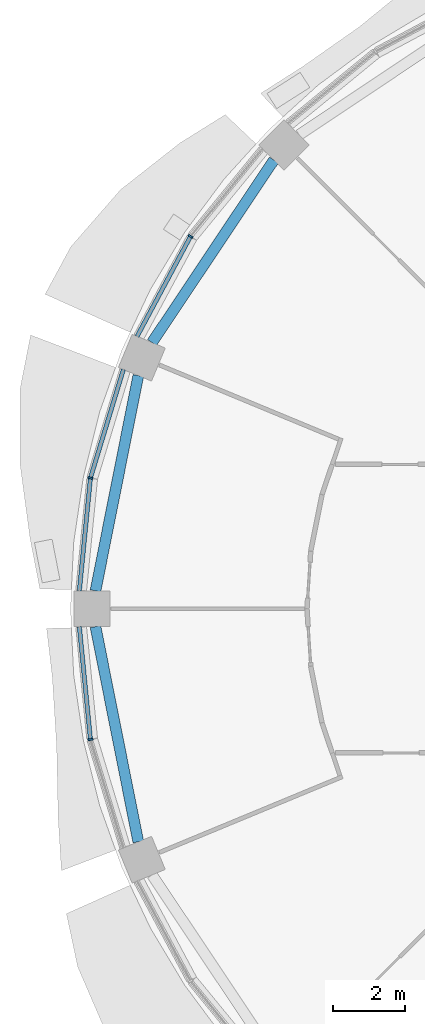
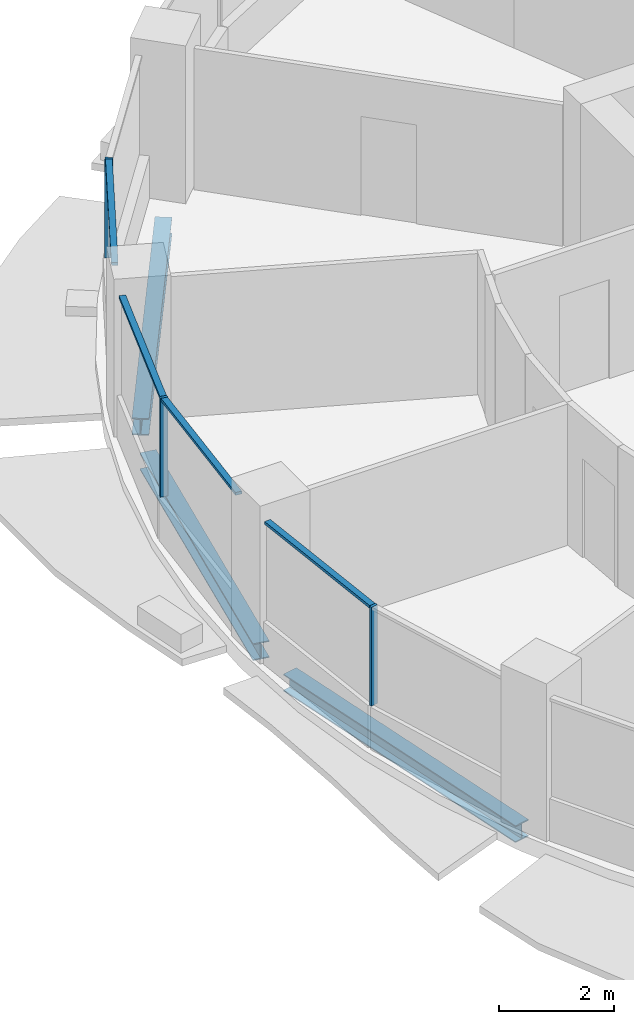
# One storey, part 4 of 14: 7 members, 3 beams, 3 elements without a shape of their own.
"""IFC4 building model written with IfcOpenShell, lengths in metres."""

import ifcopenshell
import ifcopenshell.guid

model = None  # the IFC model being written
_history = None  # IfcOwnerHistory: only IFC2X3 demands one
_inside = {}  # id of a spatial element -> (the spatial element, [elements in it])
_under = {}  # id of a project, library or spatial element -> (it, [spatial elements below it])
_declared = {}  # id of a project -> (the project, [libraries it declares])
_typed = {}  # id of a type object -> (the type object, [elements of that type])
_made_of = {}  # id of a material, layer set ... -> (it, [elements and type objects made of it])


def new_model(schema):
    """Start an empty IFC model of exactly this schema.

    Asked for "IFC4X3", IfcOpenShell would pick the latest addendum, in which some entities
    have other attributes; the version numbers below select the first issue.
    IFC2X3 requires an IfcOwnerHistory on every rooted entity: one is made here for all.
    """
    global model, _history
    if schema == "IFC4X3":
        model = ifcopenshell.file(schema_version=(4, 3, 0, 0))
    else:
        model = ifcopenshell.file(schema=schema)
    _inside.clear()
    _under.clear()
    _declared.clear()
    _typed.clear()
    _made_of.clear()
    _history = None
    if model.schema == "IFC2X3":
        org = make("IfcOrganization", Name="unknown")
        user = make(
            "IfcPersonAndOrganization",
            ThePerson=make("IfcPerson", FamilyName="unknown"),
            TheOrganization=org,
        )
        app = make(
            "IfcApplication",
            ApplicationDeveloper=org,
            Version="unknown",
            ApplicationFullName="unknown",
            ApplicationIdentifier="unknown",
        )
        _history = make(
            "IfcOwnerHistory",
            OwningUser=user,
            OwningApplication=app,
            ChangeAction="ADDED",
            CreationDate=0,
        )
    return model


def make(cls, **values):
    """One entity of the class cls with the attributes given. An attribute that is None is left unset."""
    return model.create_entity(
        cls, **{name: value for name, value in values.items() if value is not None}
    )


def rooted(cls, **values):
    """An entity with a GlobalId (a new one), such as an element, a storey or a relation."""
    return make(cls, GlobalId=ifcopenshell.guid.new(), OwnerHistory=_history, **values)


def si_unit(unit_type, name, prefix=None):
    """IfcSIUnit, for example si_unit("LENGTHUNIT", "METRE", prefix="MILLI")."""
    return make("IfcSIUnit", UnitType=unit_type, Prefix=prefix, Name=name)


def assignment(units):
    """IfcUnitAssignment: the units of a project."""
    return None if units is None else make("IfcUnitAssignment", Units=units)


def point(xyz):
    """IfcCartesianPoint."""
    return None if xyz is None else make("IfcCartesianPoint", Coordinates=xyz)


def direction(xyz):
    """IfcDirection."""
    return None if xyz is None else make("IfcDirection", DirectionRatios=xyz)


def frame(location, z_axis=None, x_axis=None):
    """IfcAxis2Placement3D, a coordinate frame: its origin and axes. An axis left out is left unset."""
    return make(
        "IfcAxis2Placement3D",
        Location=point(location),
        Axis=direction(z_axis),
        RefDirection=direction(x_axis),
    )


def frame_2d(location, x_axis=None):
    """IfcAxis2Placement2D, a coordinate frame in the plane: its origin and x axis."""
    return make(
        "IfcAxis2Placement2D", Location=point(location), RefDirection=direction(x_axis)
    )


def origin():
    """The frame at (0, 0, 0) with its axes left unset."""
    return frame((0.0, 0.0, 0.0))


def origin_2d():
    """The frame at (0, 0) in the plane with its x axis left unset."""
    return frame_2d((0.0, 0.0))


def place(relative_to, where):
    """IfcLocalPlacement: puts the frame where relative to a parent placement (None: the world)."""
    return make(
        "IfcLocalPlacement", PlacementRelTo=relative_to, RelativePlacement=where
    )


def context(
    kind, dimensions, precision=None, world=None, true_north=None, identifier=None
):
    """IfcGeometricRepresentationContext, for example the 3D "Model" context."""
    return make(
        "IfcGeometricRepresentationContext",
        ContextIdentifier=identifier,
        ContextType=kind,
        CoordinateSpaceDimension=dimensions,
        Precision=precision,
        WorldCoordinateSystem=world,
        TrueNorth=true_north,
    )


def subcontext(parent, identifier, kind, view, scale=None):
    """IfcGeometricRepresentationSubContext, for example "Body" below "Model"."""
    return make(
        "IfcGeometricRepresentationSubContext",
        ContextIdentifier=identifier,
        ContextType=kind,
        ParentContext=parent,
        TargetScale=scale,
        TargetView=view,
    )


def project(units=None, contexts=None):
    """IfcProject with its units and contexts."""
    return rooted(
        "IfcProject",
        Name="project",
        RepresentationContexts=contexts,
        UnitsInContext=assignment(units),
    )


def spatial(cls, under=None, at=None, **own):
    """A site, building, storey or space (cls), placed at a placement, below another one or the project."""
    s = rooted(cls, ObjectPlacement=at, **own)
    if under is not None:
        _under.setdefault(under.id(), (under, []))[1].append(s)
    return s


def profile(cls, at=None, kind="AREA", **sizes):
    """A parametric profile (cls). Its sizes go by their IFC names, for example OverallWidth=200.0."""
    return make(cls, ProfileType=kind, Position=at, **sizes)


def rectangle(**sizes):
    """IfcRectangleProfileDef."""
    return profile("IfcRectangleProfileDef", **sizes)


def i_section(**sizes):
    """IfcIShapeProfileDef."""
    return profile("IfcIShapeProfileDef", **sizes)


def extrude(swept, where, along, depth):
    """IfcExtrudedAreaSolid: the profile swept, set in the frame where, extruded along a direction by depth."""
    return make(
        "IfcExtrudedAreaSolid",
        SweptArea=swept,
        Position=where,
        ExtrudedDirection=direction(along),
        Depth=depth,
    )


def shape(context_of_items, identifier, shape_type, items):
    """IfcShapeRepresentation: the items that make up one representation, for example the "Body"."""
    return make(
        "IfcShapeRepresentation",
        ContextOfItems=context_of_items,
        RepresentationIdentifier=identifier,
        RepresentationType=shape_type,
        Items=items,
    )


def material(Name=None, Category=None):
    """IfcMaterial."""
    return make("IfcMaterial", Name=Name, Category=Category)


def material_profile(
    of_material, cross_section, Name=None, Category=None, Priority=None
):
    """IfcMaterialProfile: a cross section and its material."""
    return make(
        "IfcMaterialProfile",
        Name=Name,
        Material=of_material,
        Profile=cross_section,
        Priority=Priority,
        Category=Category,
    )


def profile_set(profiles, Name=None, composite=None):
    """IfcMaterialProfileSet."""
    return make(
        "IfcMaterialProfileSet",
        Name=Name,
        MaterialProfiles=profiles,
        CompositeProfile=composite,
    )


def made_of(thing, what):
    """Note that an element or type object is made of a material, layer set ...; save() writes the relation."""
    if what is not None:
        _made_of.setdefault(what.id(), (what, []))[1].append(thing)
    return thing


def type_object(cls, material=None, **own):
    """A type object (cls), such as IfcWallType, which elements share."""
    return made_of(rooted(cls, **own), material)


def element(
    cls,
    number,
    at=None,
    inside=None,
    cuts=None,
    type_object=None,
    material=None,
    context=None,
    identifier="Body",
    shape_type=None,
    held_by="IfcProductDefinitionShape",
    body=None,
    shapes=None,
    **own,
):
    """One element of the class cls, such as IfcWall. Its Tag is "e" and its number.

    at: its placement. inside: the storey or other place that contains it. cuts: it is an
    opening in that element (IfcRelVoidsElement). A single representation is given by context,
    identifier, shape_type and body (its items); several are given by shapes. held_by: the class
    of the entity that holds the representations. save() writes the other relations.
    """
    e = rooted(cls, Tag="e%d" % number, ObjectPlacement=at, **own)
    if body is not None:
        shapes = [shape(context, identifier, shape_type, body)]
    if shapes is not None:
        e.Representation = make(held_by, Representations=shapes)
    if inside is not None:
        _inside.setdefault(inside.id(), (inside, []))[1].append(e)
    if cuts is not None:
        rooted(
            "IfcRelVoidsElement", RelatingBuildingElement=cuts, RelatedOpeningElement=e
        )
    if type_object is not None:
        _typed.setdefault(type_object.id(), (type_object, []))[1].append(e)
    return made_of(e, material)


def aggregate(whole, parts):
    """IfcRelAggregates: a whole, such as a stair, and the parts it consists of."""
    return rooted("IfcRelAggregates", RelatingObject=whole, RelatedObjects=parts)


def save(model, path):
    """Write the relations noted so far, then the file.

    IfcRelAggregates (storeys below a building ...), IfcRelContainedInSpatialStructure (elements
    in a storey), IfcRelDefinesByType, IfcRelAssociatesMaterial and IfcRelDeclares: one each for
    every whole, place, type object, material and project.
    """
    for whole, parts in _under.values():
        aggregate(whole, parts)
    for where, things in _inside.values():
        rooted(
            "IfcRelContainedInSpatialStructure",
            RelatedElements=things,
            RelatingStructure=where,
        )
    for kind, things in _typed.values():
        rooted("IfcRelDefinesByType", RelatedObjects=things, RelatingType=kind)
    for what, things in _made_of.values():
        rooted("IfcRelAssociatesMaterial", RelatedObjects=things, RelatingMaterial=what)
    for by, libraries in _declared.values():
        rooted("IfcRelDeclares", RelatingContext=by, RelatedDefinitions=libraries)
    model.write(path)


model = new_model("IFC4")

# Units and contexts
model_context = context("Model", 3, precision=1e-05, world=origin(), true_north=direction((0.0, 1.0)))
body_context = subcontext(model_context, "Body", "Model", "MODEL_VIEW")
ifc_project = project(units=[si_unit("LENGTHUNIT", "METRE"), si_unit("AREAUNIT", "SQUARE_METRE"), si_unit("VOLUMEUNIT", "CUBIC_METRE"), si_unit("PLANEANGLEUNIT", "RADIAN"), si_unit("MASSUNIT", "GRAM", prefix="KILO")], contexts=[model_context])

# Site, building, storey
site_placement = place(None, origin())
site = spatial("IfcSite", under=ifc_project, at=site_placement, CompositionType="ELEMENT")
building_placement = place(site_placement, origin())
building = spatial("IfcBuilding", under=site, at=building_placement, Name="Polderwave Tower", CompositionType="ELEMENT")
storey_placement = place(building_placement, frame((0.0, 0.0, 141.050048828125)))
storey = spatial("IfcBuildingStorey", under=building, at=storey_placement, Name="L37", CompositionType="ELEMENT", Elevation=141.050048828125)

# Curtain wall, member
ifc_material_1 = material(Name="Aluminium 6063-T6 and glass", Category="aluminium")
curtain_wall_type = type_object("IfcCurtainWallType", Name="Office ribbon glazing wall", PredefinedType="NOTDEFINED", material=ifc_material_1)
curtain_wall_1_placement = place(storey_placement, origin())
curtain_wall_1 = element("IfcCurtainWall", 1, at=curtain_wall_1_placement, inside=storey, type_object=curtain_wall_type, Name="CW3 L37 06", PredefinedType="NOTDEFINED")
ifc_material_2 = material(Name="Aluminium 6063-T6", Category="aluminium")
ifc_material_profile_1 = material_profile(ifc_material_2, rectangle(XDim=0.139892578125, YDim=0.054931640625, at=origin_2d()), Name="AL 55x140")
ifc_profile_set_1 = profile_set([ifc_material_profile_1], Name="Aluminium 6063-T6")
member_type_1 = type_object("IfcMemberType", Name="Office ribbon glazing mullion 55x140", PredefinedType="MULLION", material=ifc_profile_set_1)
member_1_placement = place(storey_placement, frame((-15.548095703125, 10.388916015625, 0.89990234375), z_axis=(0.0, 0.0, 1.0), x_axis=(0.831508396395, -0.555512184136, 0.0)))
member_1 = element("IfcMember", 2, at=member_1_placement, type_object=member_type_1, Name="CW3 mullion 1", PredefinedType="MULLION", context=body_context, shape_type="SweptSolid", body=[
    extrude(rectangle(XDim=0.139892578125, YDim=0.054931640625, at=origin_2d()), origin(), (0.0, 0.0, 1.0), 2.10009765625),
])

curtain_wall_2_placement = place(storey_placement, origin())
curtain_wall_2 = element("IfcCurtainWall", 3, at=curtain_wall_2_placement, inside=storey, type_object=curtain_wall_type, Name="CW3 L37 07", PredefinedType="NOTDEFINED")
member_2_placement = place(storey_placement, frame((-18.341064453125, 3.64794921875, 0.89990234375), z_axis=(0.0, 0.0, 1.0), x_axis=(0.980764163857, -0.195196452055, 0.0)))
member_2 = element("IfcMember", 4, at=member_2_placement, type_object=member_type_1, Name="CW3 mullion 1", PredefinedType="MULLION", context=body_context, shape_type="SweptSolid", body=[
    extrude(rectangle(XDim=0.139892578125, YDim=0.054931640625, at=origin_2d()), origin(), (0.0, 0.0, 1.0), 2.10009765625),
])

curtain_wall_3_placement = place(storey_placement, origin())
curtain_wall_3 = element("IfcCurtainWall", 5, at=curtain_wall_3_placement, inside=storey, type_object=curtain_wall_type, Name="CW3 L37 08", PredefinedType="NOTDEFINED")
member_3_placement = place(storey_placement, frame((-18.341064453125, -3.64794921875, 0.89990234375), z_axis=(0.0, 0.0, 1.0), x_axis=(0.980764163857, 0.195196452055, 0.0)))
member_3 = element("IfcMember", 6, at=member_3_placement, type_object=member_type_1, Name="CW3 mullion 1", PredefinedType="MULLION", context=body_context, shape_type="SweptSolid", body=[
    extrude(rectangle(XDim=0.139892578125, YDim=0.054931640625, at=origin_2d()), origin(), (0.0, 0.0, 1.0), 2.10009765625),
])

# Member
ifc_material_profile_2 = material_profile(ifc_material_2, rectangle(XDim=0.1201171875, YDim=0.06005859375, at=origin_2d()), Name="AL 60x120")
ifc_profile_set_2 = profile_set([ifc_material_profile_2], Name="Aluminium 6063-T6")
member_type_2 = type_object("IfcMemberType", Name="Office ribbon glazing transom 60x120", PredefinedType="USERDEFINED", material=ifc_profile_set_2)
member_4_placement = place(storey_placement, frame((-15.56103515625, 10.36474609375, 2.969970703125), z_axis=(-0.471581867996, -0.881822284691, 0.0), x_axis=(0.881822284691, -0.471581867996, 0.0)))
member_4 = element("IfcMember", 7, at=member_4_placement, type_object=member_type_2, Name="CW3 transom 2", ObjectType="TRANSOM", PredefinedType="USERDEFINED", context=body_context, shape_type="SweptSolid", body=[
    extrude(rectangle(XDim=0.1201171875, YDim=0.06005859375, at=origin_2d()), origin(), (0.0, 0.0, 1.0), 3.13623046875),
])

aggregate(curtain_wall_1, [member_1, member_4])

member_5_placement = place(storey_placement, frame((-17.422119140625, 6.675048828125, 2.969970703125), z_axis=(-0.290467601512, -0.956884827172, 0.0), x_axis=(0.956884827172, -0.290467601512, 0.0)))
member_5 = element("IfcMember", 8, at=member_5_placement, type_object=member_type_2, Name="CW3 transom 1", ObjectType="TRANSOM", PredefinedType="USERDEFINED", context=body_context, shape_type="SweptSolid", body=[
    extrude(rectangle(XDim=0.1201171875, YDim=0.06005859375, at=origin_2d()), origin(), (0.0, 0.0, 1.0), 3.135986328125),
])

member_6_placement = place(storey_placement, frame((-18.34375, 3.62060546875, 2.969970703125), z_axis=(-0.097946420382, -0.995191689442, 0.0), x_axis=(0.995191689442, -0.097946420382, 0.0)))
member_6 = element("IfcMember", 9, at=member_6_placement, type_object=member_type_2, Name="CW3 transom 2", ObjectType="TRANSOM", PredefinedType="USERDEFINED", context=body_context, shape_type="SweptSolid", body=[
    extrude(rectangle(XDim=0.1201171875, YDim=0.06005859375, at=origin_2d()), origin(), (0.0, 0.0, 1.0), 3.1357421875),
])

aggregate(curtain_wall_2, [member_2, member_5, member_6])

member_7_placement = place(storey_placement, frame((-18.65087890625, -0.5, 2.969970703125), z_axis=(0.097946420382, -0.995191689442, 0.0), x_axis=(0.995191689442, 0.097946420382, 0.0)))
member_7 = element("IfcMember", 10, at=member_7_placement, type_object=member_type_2, Name="CW3 transom 1", ObjectType="TRANSOM", PredefinedType="USERDEFINED", context=body_context, shape_type="SweptSolid", body=[
    extrude(rectangle(XDim=0.1201171875, YDim=0.06005859375, at=origin_2d()), origin(), (0.0, 0.0, 1.0), 3.1357421875),
])

aggregate(curtain_wall_3, [member_3, member_7])

# Beams
ifc_material_3 = material(Name="Steel S355", Category="steel")
ifc_material_profile_3 = material_profile(ifc_material_3, i_section(OverallWidth=0.300048828125, OverallDepth=0.360107421875, WebThickness=0.012451171875, FlangeThickness=0.0224609375, at=origin_2d()), Name="HE 360 B")
ifc_profile_set_3 = profile_set([ifc_material_profile_3], Name="Steel S355")
beam_type = type_object("IfcBeamType", Name="RING BEAM HE 360 B", PredefinedType="BEAM", material=ifc_profile_set_3)
beam_placement = place(storey_placement, frame((-13.223388671875, 12.51611328125, -0.530029296875), z_axis=(-0.555565167003, -0.831472997284, 0.0), x_axis=(0.831472997284, -0.555565167003, 0.0)))
element("IfcBeam", 11, at=beam_placement, inside=storey, type_object=beam_type, Name="ST-RB-L37-06", PredefinedType="BEAM", context=body_context, shape_type="SweptSolid", body=[
    extrude(i_section(OverallWidth=0.300048828125, OverallDepth=0.360107421875, WebThickness=0.012451171875, FlangeThickness=0.0224609375, at=origin_2d()), origin(), (0.0, 0.0, 1.0), 6.12060546875),
])
for number, where, z_axis, x_axis, name in (
    (12, (-17.00634765625, 6.503173828125, -0.530029296875), (-0.195088165617, -0.980785709335, 0.0), (0.980785709335, -0.195088165617, 0.0), "ST-RB-L37-07"),
    (13, (-18.200439453125, -0.5, -0.530029296875), (0.195088165617, -0.980785709335, 0.0), (0.980785709335, 0.195088165617, 0.0), "ST-RB-L37-08"),
):
    element("IfcBeam", number, at=place(storey_placement, frame(where, z_axis=z_axis, x_axis=x_axis)), inside=storey, type_object=beam_type, Name=name, PredefinedType="BEAM", context=body_context, shape_type="SweptSolid", body=[
        extrude(i_section(OverallWidth=0.300048828125, OverallDepth=0.360107421875, WebThickness=0.012451171875, FlangeThickness=0.0224609375, at=origin_2d()), origin(), (0.0, 0.0, 1.0), 6.120849609375),
    ])

save(model, "model.ifc")
